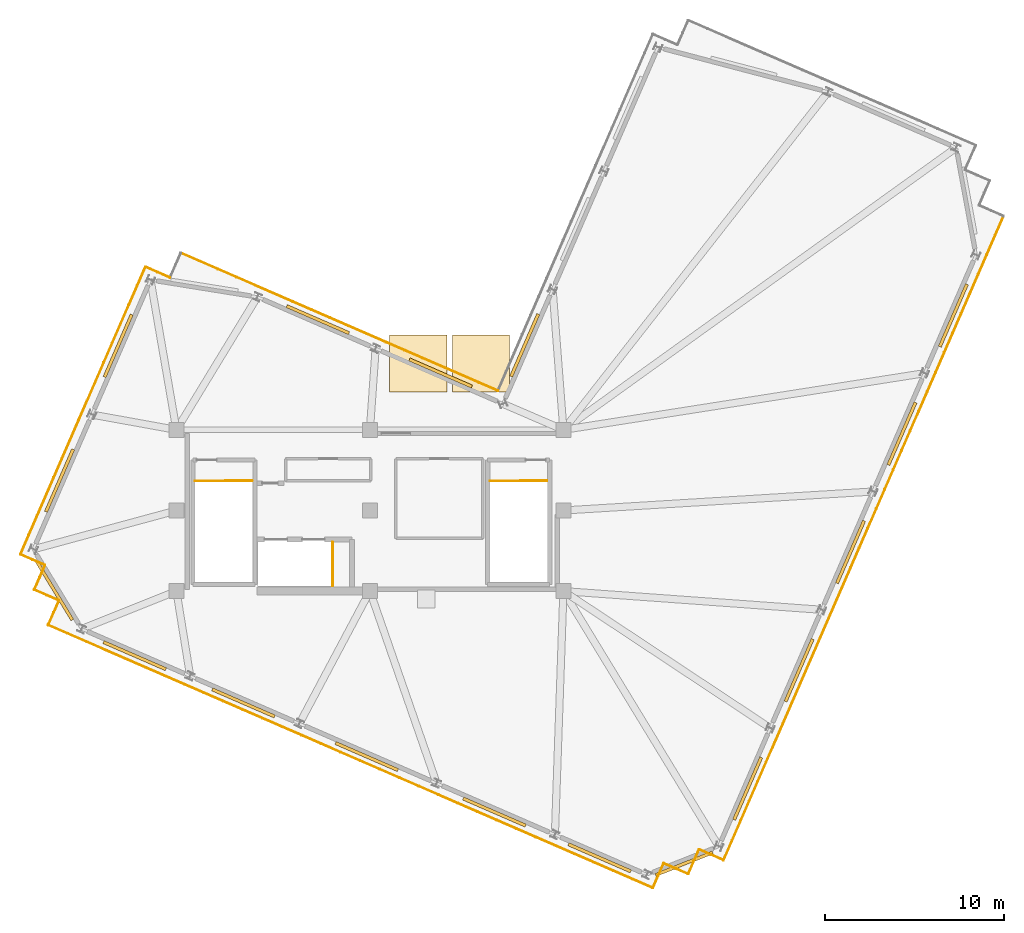
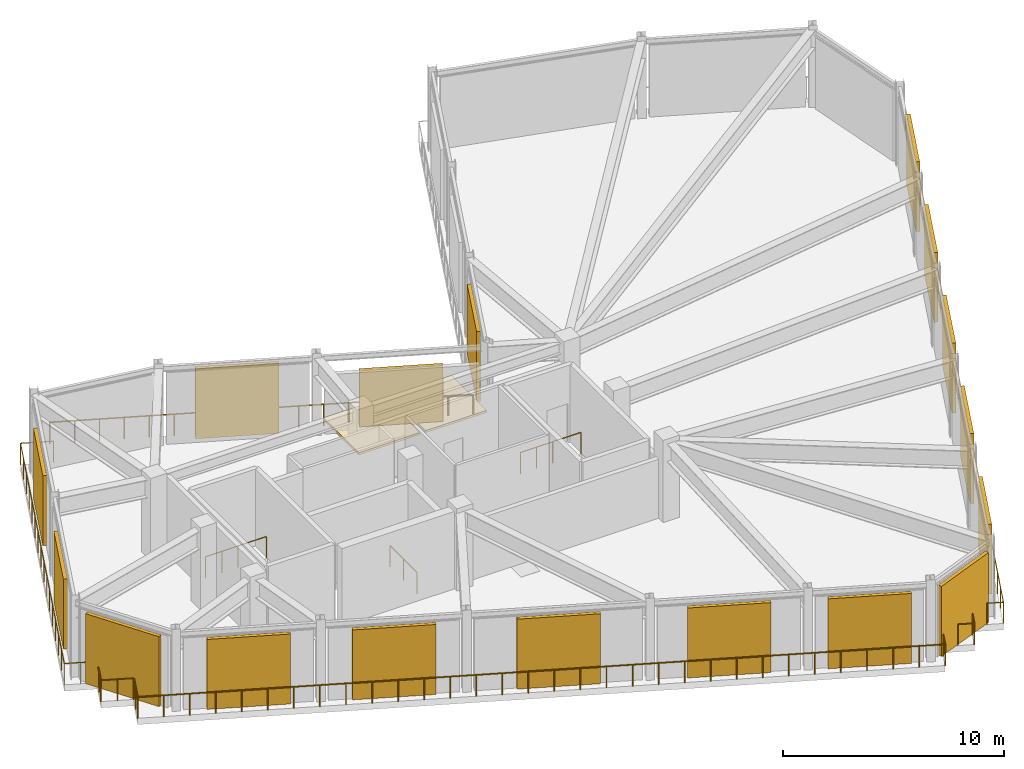
# One storey, part 6 of 7: 18 railings, 17 shading devices, 2 coverings.
"""IFC4 building model written with IfcOpenShell, lengths in metres."""

from ifc_helpers import new_model, si_unit, direction, frame, origin, origin_2d, place, context, subcontext, project, spatial, rectangle, circle, extrude, material, layer, layer_set, type_object, element, save


model = new_model("IFC4")

# Units and contexts
model_context = context("Model", 3, precision=1e-05, world=origin(), true_north=direction((0.0, 1.0)))
body_context = subcontext(model_context, "Body", "Model", "MODEL_VIEW")
ifc_project = project(units=[si_unit("LENGTHUNIT", "METRE"), si_unit("AREAUNIT", "SQUARE_METRE"), si_unit("VOLUMEUNIT", "CUBIC_METRE"), si_unit("PLANEANGLEUNIT", "RADIAN"), si_unit("MASSUNIT", "GRAM", prefix="KILO")], contexts=[model_context])

# Site, building, storey
site_placement = place(None, origin())
site = spatial("IfcSite", under=ifc_project, at=site_placement, CompositionType="ELEMENT")
building_placement = place(site_placement, origin())
building = spatial("IfcBuilding", under=site, at=building_placement, Name="Gaonmaruhae Medical Tower", CompositionType="ELEMENT")
storey_placement = place(building_placement, frame((0.0, 0.0, 347.800048828125)))
storey = spatial("IfcBuildingStorey", under=building, at=storey_placement, Name="RF", CompositionType="ELEMENT", Elevation=347.800048828125)

# Railings
ifc_material_1 = material(Name="Stainless steel 316L and laminated safety glass", Category="steel")
ifc_layer_1 = layer(ifc_material_1, 0.080078125)
ifc_layer_set_1 = layer_set([ifc_layer_1], Name="Stainless steel 316L and laminated safety glass")
railing_type_1 = type_object("IfcRailingType", Name="GD-120 Outdoor Terrace Safety Glass & Steel Balustrade", PredefinedType="BALUSTRADE", material=ifc_layer_set_1)
railing_1_placement = place(storey_placement, frame((44.540283203125, -7.218017578125, 0.0)))
element("IfcRailing", 1, at=railing_1_placement, inside=storey, type_object=railing_type_1, Name="RF Terrace Safety Guard RL-RF-01", PredefinedType="BALUSTRADE", context=body_context, shape_type="SweptSolid", body=[
    extrude(circle(Radius=0.02392578125, at=origin_2d()), frame((0.0, 0.0, 1.17578125), z_axis=(0.398747063032, 0.91706094657, 0.0), x_axis=(-0.91706094657, 0.398747063032, 0.0)), (0.0, 0.0, 1.0), 39.199951171875),
    extrude(circle(Radius=0.02099609375, at=origin_2d()), origin(), (0.0, 0.0, 1.0), 1.15185546875),
    extrude(circle(Radius=0.02099609375, at=origin_2d()), frame((0.4736328125, 1.08935546875, 0.0)), (0.0, 0.0, 1.0), 1.15185546875),
    extrude(circle(Radius=0.02099609375, at=origin_2d()), frame((0.947265625, 2.1787109375, 0.0)), (0.0, 0.0, 1.0), 1.15185546875),
    extrude(circle(Radius=0.02099609375, at=origin_2d()), frame((1.4208984375, 3.26806640625, 0.0)), (0.0, 0.0, 1.0), 1.15185546875),
    extrude(circle(Radius=0.02099609375, at=origin_2d()), frame((1.89453125, 4.357421875, 0.0)), (0.0, 0.0, 1.0), 1.15185546875),
    extrude(circle(Radius=0.02099609375, at=origin_2d()), frame((2.368408203125, 5.44677734375, 0.0)), (0.0, 0.0, 1.0), 1.15185546875),
    extrude(circle(Radius=0.02099609375, at=origin_2d()), frame((2.842041015625, 6.5361328125, 0.0)), (0.0, 0.0, 1.0), 1.15185546875),
    extrude(circle(Radius=0.02099609375, at=origin_2d()), frame((3.315673828125, 7.62548828125, 0.0)), (0.0, 0.0, 1.0), 1.15185546875),
    extrude(circle(Radius=0.02099609375, at=origin_2d()), frame((3.789306640625, 8.71484375, 0.0)), (0.0, 0.0, 1.0), 1.15185546875),
    extrude(circle(Radius=0.02099609375, at=origin_2d()), frame((4.262939453125, 9.80419921875, 0.0)), (0.0, 0.0, 1.0), 1.15185546875),
    extrude(circle(Radius=0.02099609375, at=origin_2d()), frame((4.736572265625, 10.8935546875, 0.0)), (0.0, 0.0, 1.0), 1.15185546875),
    extrude(circle(Radius=0.02099609375, at=origin_2d()), frame((5.210205078125, 11.98291015625, 0.0)), (0.0, 0.0, 1.0), 1.15185546875),
    extrude(circle(Radius=0.02099609375, at=origin_2d()), frame((5.683837890625, 13.072265625, 0.0)), (0.0, 0.0, 1.0), 1.15185546875),
    extrude(circle(Radius=0.02099609375, at=origin_2d()), frame((6.15771484375, 14.16162109375, 0.0)), (0.0, 0.0, 1.0), 1.15185546875),
    extrude(circle(Radius=0.02099609375, at=origin_2d()), frame((6.63134765625, 15.2509765625, 0.0)), (0.0, 0.0, 1.0), 1.15185546875),
    extrude(circle(Radius=0.02099609375, at=origin_2d()), frame((7.10498046875, 16.34033203125, 0.0)), (0.0, 0.0, 1.0), 1.15185546875),
    extrude(circle(Radius=0.02099609375, at=origin_2d()), frame((7.57861328125, 17.4296875, 0.0)), (0.0, 0.0, 1.0), 1.15185546875),
    extrude(circle(Radius=0.02099609375, at=origin_2d()), frame((8.05224609375, 18.51904296875, 0.0)), (0.0, 0.0, 1.0), 1.15185546875),
    extrude(circle(Radius=0.02099609375, at=origin_2d()), frame((8.52587890625, 19.6083984375, 0.0)), (0.0, 0.0, 1.0), 1.15185546875),
    extrude(circle(Radius=0.02099609375, at=origin_2d()), frame((8.99951171875, 20.69775390625, 0.0)), (0.0, 0.0, 1.0), 1.15185546875),
    extrude(circle(Radius=0.02099609375, at=origin_2d()), frame((9.47314453125, 21.787109375, 0.0)), (0.0, 0.0, 1.0), 1.15185546875),
    extrude(circle(Radius=0.02099609375, at=origin_2d()), frame((9.947021484375, 22.87646484375, 0.0)), (0.0, 0.0, 1.0), 1.15185546875),
    extrude(circle(Radius=0.02099609375, at=origin_2d()), frame((10.420654296875, 23.9658203125, 0.0)), (0.0, 0.0, 1.0), 1.15185546875),
    extrude(circle(Radius=0.02099609375, at=origin_2d()), frame((10.894287109375, 25.05517578125, 0.0)), (0.0, 0.0, 1.0), 1.15185546875),
    extrude(circle(Radius=0.02099609375, at=origin_2d()), frame((11.367919921875, 26.14453125, 0.0)), (0.0, 0.0, 1.0), 1.15185546875),
    extrude(circle(Radius=0.02099609375, at=origin_2d()), frame((11.841552734375, 27.23388671875, 0.0)), (0.0, 0.0, 1.0), 1.15185546875),
    extrude(circle(Radius=0.02099609375, at=origin_2d()), frame((12.315185546875, 28.3232421875, 0.0)), (0.0, 0.0, 1.0), 1.15185546875),
    extrude(circle(Radius=0.02099609375, at=origin_2d()), frame((12.788818359375, 29.41259765625, 0.0)), (0.0, 0.0, 1.0), 1.15185546875),
    extrude(circle(Radius=0.02099609375, at=origin_2d()), frame((13.262451171875, 30.501953125, 0.0)), (0.0, 0.0, 1.0), 1.15185546875),
    extrude(circle(Radius=0.02099609375, at=origin_2d()), frame((13.736328125, 31.59130859375, 0.0)), (0.0, 0.0, 1.0), 1.15185546875),
    extrude(circle(Radius=0.02099609375, at=origin_2d()), frame((14.2099609375, 32.6806640625, 0.0)), (0.0, 0.0, 1.0), 1.15185546875),
    extrude(circle(Radius=0.02099609375, at=origin_2d()), frame((14.68359375, 33.77001953125, 0.0)), (0.0, 0.0, 1.0), 1.15185546875),
    extrude(circle(Radius=0.02099609375, at=origin_2d()), frame((15.1572265625, 34.859375, 0.0)), (0.0, 0.0, 1.0), 1.15185546875),
    extrude(circle(Radius=0.02099609375, at=origin_2d()), frame((15.630859375, 35.94873046875, 0.0)), (0.0, 0.0, 1.0), 1.15185546875),
])
railing_2_placement = place(storey_placement, frame((31.941162109375, 18.978515625, 0.0)))
element("IfcRailing", 2, at=railing_2_placement, inside=storey, type_object=railing_type_1, Name="RF Terrace Safety Guard RL-RF-10", PredefinedType="BALUSTRADE", context=body_context, shape_type="SweptSolid", body=[
    extrude(circle(Radius=0.02392578125, at=origin_2d()), frame((0.0, 0.0, 1.17578125), z_axis=(-0.917056179185, 0.398758027153, 0.0), x_axis=(-0.398758027153, -0.917056179185, 0.0)), (0.0, 0.0, 1.0), 19.300048828125),
    extrude(circle(Radius=0.02099609375, at=origin_2d()), origin(), (0.0, 0.0, 1.0), 1.15185546875),
    extrude(circle(Radius=0.02099609375, at=origin_2d()), frame((-1.041015625, 0.45263671875, 0.0)), (0.0, 0.0, 1.0), 1.15185546875),
    extrude(circle(Radius=0.02099609375, at=origin_2d()), frame((-2.082275390625, 0.905517578125, 0.0)), (0.0, 0.0, 1.0), 1.15185546875),
    extrude(circle(Radius=0.02099609375, at=origin_2d()), frame((-3.123291015625, 1.358154296875, 0.0)), (0.0, 0.0, 1.0), 1.15185546875),
    extrude(circle(Radius=0.02099609375, at=origin_2d()), frame((-4.16455078125, 1.810791015625, 0.0)), (0.0, 0.0, 1.0), 1.15185546875),
    extrude(circle(Radius=0.02099609375, at=origin_2d()), frame((-5.20556640625, 2.263427734375, 0.0)), (0.0, 0.0, 1.0), 1.15185546875),
    extrude(circle(Radius=0.02099609375, at=origin_2d()), frame((-6.246826171875, 2.71630859375, 0.0)), (0.0, 0.0, 1.0), 1.15185546875),
    extrude(circle(Radius=0.02099609375, at=origin_2d()), frame((-7.287841796875, 3.1689453125, 0.0)), (0.0, 0.0, 1.0), 1.15185546875),
    extrude(circle(Radius=0.02099609375, at=origin_2d()), frame((-8.3291015625, 3.62158203125, 0.0)), (0.0, 0.0, 1.0), 1.15185546875),
    extrude(circle(Radius=0.02099609375, at=origin_2d()), frame((-9.3701171875, 4.074462890625, 0.0)), (0.0, 0.0, 1.0), 1.15185546875),
    extrude(circle(Radius=0.02099609375, at=origin_2d()), frame((-10.411376953125, 4.527099609375, 0.0)), (0.0, 0.0, 1.0), 1.15185546875),
    extrude(circle(Radius=0.02099609375, at=origin_2d()), frame((-11.452392578125, 4.979736328125, 0.0)), (0.0, 0.0, 1.0), 1.15185546875),
    extrude(circle(Radius=0.02099609375, at=origin_2d()), frame((-12.49365234375, 5.4326171875, 0.0)), (0.0, 0.0, 1.0), 1.15185546875),
    extrude(circle(Radius=0.02099609375, at=origin_2d()), frame((-13.53466796875, 5.88525390625, 0.0)), (0.0, 0.0, 1.0), 1.15185546875),
    extrude(circle(Radius=0.02099609375, at=origin_2d()), frame((-14.575927734375, 6.337890625, 0.0)), (0.0, 0.0, 1.0), 1.15185546875),
    extrude(circle(Radius=0.02099609375, at=origin_2d()), frame((-15.616943359375, 6.79052734375, 0.0)), (0.0, 0.0, 1.0), 1.15185546875),
    extrude(circle(Radius=0.02099609375, at=origin_2d()), frame((-16.658203125, 7.243408203125, 0.0)), (0.0, 0.0, 1.0), 1.15185546875),
    extrude(circle(Radius=0.02099609375, at=origin_2d()), frame((-17.69921875, 7.696044921875, 0.0)), (0.0, 0.0, 1.0), 1.15185546875),
])
railing_3_placement = place(storey_placement, frame((13.643798828125, 25.298828125, 0.0)))
element("IfcRailing", 3, at=railing_3_placement, inside=storey, type_object=railing_type_1, Name="RF Terrace Safety Guard RL-RF-12", PredefinedType="BALUSTRADE", context=body_context, shape_type="SweptSolid", body=[
    extrude(circle(Radius=0.02392578125, at=origin_2d()), frame((0.0, 0.0, 1.17578125), z_axis=(-0.917044176795, 0.398785628887, 0.0), x_axis=(-0.398785628887, -0.917044176795, 0.0)), (0.0, 0.0, 1.0), 1.5),
    extrude(circle(Radius=0.02099609375, at=origin_2d()), origin(), (0.0, 0.0, 1.0), 1.15185546875),
    extrude(circle(Radius=0.02099609375, at=origin_2d()), frame((-0.687744140625, 0.299072265625, 0.0)), (0.0, 0.0, 1.0), 1.15185546875),
    extrude(circle(Radius=0.02099609375, at=origin_2d()), frame((-1.37548828125, 0.59814453125, 0.0)), (0.0, 0.0, 1.0), 1.15185546875),
])
railing_4_placement = place(storey_placement, frame((12.268310546875, 25.89697265625, 0.0)))
element("IfcRailing", 4, at=railing_4_placement, inside=storey, type_object=railing_type_1, Name="RF Terrace Safety Guard RL-RF-13", PredefinedType="BALUSTRADE", context=body_context, shape_type="SweptSolid", body=[
    extrude(circle(Radius=0.02392578125, at=origin_2d()), frame((0.0, 0.0, 1.17578125), z_axis=(-0.398756208591, -0.917056969937, 0.0), x_axis=(0.917056969937, -0.398756208591, 0.0)), (0.0, 0.0, 1.0), 17.5),
    extrude(circle(Radius=0.02099609375, at=origin_2d()), origin(), (0.0, 0.0, 1.0), 1.15185546875),
    extrude(circle(Radius=0.02099609375, at=origin_2d()), frame((-0.46533203125, -1.06982421875, 0.0)), (0.0, 0.0, 1.0), 1.15185546875),
    extrude(circle(Radius=0.02099609375, at=origin_2d()), frame((-0.930419921875, -2.139892578125, 0.0)), (0.0, 0.0, 1.0), 1.15185546875),
    extrude(circle(Radius=0.02099609375, at=origin_2d()), frame((-1.395751953125, -3.209716796875, 0.0)), (0.0, 0.0, 1.0), 1.15185546875),
    extrude(circle(Radius=0.02099609375, at=origin_2d()), frame((-1.86083984375, -4.279541015625, 0.0)), (0.0, 0.0, 1.0), 1.15185546875),
    extrude(circle(Radius=0.02099609375, at=origin_2d()), frame((-2.326171875, -5.349609375, 0.0)), (0.0, 0.0, 1.0), 1.15185546875),
    extrude(circle(Radius=0.02099609375, at=origin_2d()), frame((-2.791259765625, -6.41943359375, 0.0)), (0.0, 0.0, 1.0), 1.15185546875),
    extrude(circle(Radius=0.02099609375, at=origin_2d()), frame((-3.256591796875, -7.4892578125, 0.0)), (0.0, 0.0, 1.0), 1.15185546875),
    extrude(circle(Radius=0.02099609375, at=origin_2d()), frame((-3.7216796875, -8.559326171875, 0.0)), (0.0, 0.0, 1.0), 1.15185546875),
    extrude(circle(Radius=0.02099609375, at=origin_2d()), frame((-4.18701171875, -9.629150390625, 0.0)), (0.0, 0.0, 1.0), 1.15185546875),
    extrude(circle(Radius=0.02099609375, at=origin_2d()), frame((-4.652099609375, -10.698974609375, 0.0)), (0.0, 0.0, 1.0), 1.15185546875),
    extrude(circle(Radius=0.02099609375, at=origin_2d()), frame((-5.117431640625, -11.76904296875, 0.0)), (0.0, 0.0, 1.0), 1.15185546875),
    extrude(circle(Radius=0.02099609375, at=origin_2d()), frame((-5.58251953125, -12.8388671875, 0.0)), (0.0, 0.0, 1.0), 1.15185546875),
    extrude(circle(Radius=0.02099609375, at=origin_2d()), frame((-6.0478515625, -13.90869140625, 0.0)), (0.0, 0.0, 1.0), 1.15185546875),
    extrude(circle(Radius=0.02099609375, at=origin_2d()), frame((-6.512939453125, -14.978759765625, 0.0)), (0.0, 0.0, 1.0), 1.15185546875),
    extrude(circle(Radius=0.02099609375, at=origin_2d()), frame((-6.978271484375, -16.048583984375, 0.0)), (0.0, 0.0, 1.0), 1.15185546875),
])
railing_5_placement = place(storey_placement, frame((5.2900390625, 9.848388671875, 0.0)))
element("IfcRailing", 5, at=railing_5_placement, inside=storey, type_object=railing_type_1, Name="RF Terrace Safety Guard RL-RF-14", PredefinedType="BALUSTRADE", context=body_context, shape_type="SweptSolid", body=[
    extrude(circle(Radius=0.02392578125, at=origin_2d()), frame((0.0, 0.0, 1.17578125), z_axis=(0.917129559328, -0.398589226405, 0.0), x_axis=(0.398589226405, 0.917129559328, 0.0)), (0.0, 0.0, 1.0), 1.5),
    extrude(circle(Radius=0.02099609375, at=origin_2d()), origin(), (0.0, 0.0, 1.0), 1.15185546875),
    extrude(circle(Radius=0.02099609375, at=origin_2d()), frame((0.68798828125, -0.298828125, 0.0)), (0.0, 0.0, 1.0), 1.15185546875),
    extrude(circle(Radius=0.02099609375, at=origin_2d()), frame((1.375732421875, -0.597900390625, 0.0)), (0.0, 0.0, 1.0), 1.15185546875),
])
railing_6_placement = place(storey_placement, frame((6.665771484375, 9.25048828125, 0.0)))
element("IfcRailing", 6, at=railing_6_placement, inside=storey, type_object=railing_type_1, Name="RF Terrace Safety Guard RL-RF-15", PredefinedType="BALUSTRADE", context=body_context, shape_type="SweptSolid", body=[
    extrude(circle(Radius=0.02392578125, at=origin_2d()), frame((0.0, 0.0, 1.17578125), z_axis=(-0.398862969778, -0.917010540474, 0.0), x_axis=(0.917010540474, -0.398862969778, 0.0)), (0.0, 0.0, 1.0), 1.500244140625),
    extrude(circle(Radius=0.02099609375, at=origin_2d()), origin(), (0.0, 0.0, 1.0), 1.15185546875),
    extrude(circle(Radius=0.02099609375, at=origin_2d()), frame((-0.29931640625, -0.68798828125, 0.0)), (0.0, 0.0, 1.0), 1.15185546875),
    extrude(circle(Radius=0.02099609375, at=origin_2d()), frame((-0.598388671875, -1.375732421875, 0.0)), (0.0, 0.0, 1.0), 1.15185546875),
])
railing_7_placement = place(storey_placement, frame((6.0673828125, 7.874755859375, 0.0)))
element("IfcRailing", 7, at=railing_7_placement, inside=storey, type_object=railing_type_1, Name="RF Terrace Safety Guard RL-RF-16", PredefinedType="BALUSTRADE", context=body_context, shape_type="SweptSolid", body=[
    extrude(circle(Radius=0.02392578125, at=origin_2d()), frame((0.0, 0.0, 1.17578125), z_axis=(0.917070056253, -0.398726111414, 0.0), x_axis=(0.398726111414, 0.917070056253, 0.0)), (0.0, 0.0, 1.0), 1.500244140625),
    extrude(circle(Radius=0.02099609375, at=origin_2d()), origin(), (0.0, 0.0, 1.0), 1.15185546875),
    extrude(circle(Radius=0.02099609375, at=origin_2d()), frame((0.68798828125, -0.299072265625, 0.0)), (0.0, 0.0, 1.0), 1.15185546875),
    extrude(circle(Radius=0.02099609375, at=origin_2d()), frame((1.375732421875, -0.59814453125, 0.0)), (0.0, 0.0, 1.0), 1.15185546875),
])
railing_8_placement = place(storey_placement, frame((7.443115234375, 7.276611328125, 0.0)))
element("IfcRailing", 8, at=railing_8_placement, inside=storey, type_object=railing_type_1, Name="RF Terrace Safety Guard RL-RF-17", PredefinedType="BALUSTRADE", context=body_context, shape_type="SweptSolid", body=[
    extrude(circle(Radius=0.02392578125, at=origin_2d()), frame((0.0, 0.0, 1.17578125), z_axis=(-0.398785628887, -0.917044176795, 0.0), x_axis=(0.917044176795, -0.398785628887, 0.0)), (0.0, 0.0, 1.0), 1.5),
    extrude(circle(Radius=0.02099609375, at=origin_2d()), origin(), (0.0, 0.0, 1.0), 1.15185546875),
    extrude(circle(Radius=0.02099609375, at=origin_2d()), frame((-0.299072265625, -0.687744140625, 0.0)), (0.0, 0.0, 1.0), 1.15185546875),
    extrude(circle(Radius=0.02099609375, at=origin_2d()), frame((-0.59814453125, -1.37548828125, 0.0)), (0.0, 0.0, 1.0), 1.15185546875),
])
railing_9_placement = place(storey_placement, frame((6.844970703125, 5.901123046875, 0.0)))
element("IfcRailing", 9, at=railing_9_placement, inside=storey, type_object=railing_type_1, Name="RF Terrace Safety Guard RL-RF-18", PredefinedType="BALUSTRADE", context=body_context, shape_type="SweptSolid", body=[
    extrude(circle(Radius=0.02392578125, at=origin_2d()), frame((0.0, 0.0, 1.17578125), z_axis=(0.917058981238, -0.398751582983, 0.0), x_axis=(0.398751582983, 0.917058981238, 0.0)), (0.0, 0.0, 1.0), 36.800048828125),
    extrude(circle(Radius=0.02099609375, at=origin_2d()), origin(), (0.0, 0.0, 1.0), 1.15185546875),
    extrude(circle(Radius=0.02099609375, at=origin_2d()), frame((1.088623046875, -0.473388671875, 0.0)), (0.0, 0.0, 1.0), 1.15185546875),
    extrude(circle(Radius=0.02099609375, at=origin_2d()), frame((2.17724609375, -0.94677734375, 0.0)), (0.0, 0.0, 1.0), 1.15185546875),
    extrude(circle(Radius=0.02099609375, at=origin_2d()), frame((3.265869140625, -1.420166015625, 0.0)), (0.0, 0.0, 1.0), 1.15185546875),
    extrude(circle(Radius=0.02099609375, at=origin_2d()), frame((4.3544921875, -1.893310546875, 0.0)), (0.0, 0.0, 1.0), 1.15185546875),
    extrude(circle(Radius=0.02099609375, at=origin_2d()), frame((5.443115234375, -2.36669921875, 0.0)), (0.0, 0.0, 1.0), 1.15185546875),
    extrude(circle(Radius=0.02099609375, at=origin_2d()), frame((6.53173828125, -2.840087890625, 0.0)), (0.0, 0.0, 1.0), 1.15185546875),
    extrude(circle(Radius=0.02099609375, at=origin_2d()), frame((7.620361328125, -3.3134765625, 0.0)), (0.0, 0.0, 1.0), 1.15185546875),
    extrude(circle(Radius=0.02099609375, at=origin_2d()), frame((8.709228515625, -3.786865234375, 0.0)), (0.0, 0.0, 1.0), 1.15185546875),
    extrude(circle(Radius=0.02099609375, at=origin_2d()), frame((9.7978515625, -4.26025390625, 0.0)), (0.0, 0.0, 1.0), 1.15185546875),
    extrude(circle(Radius=0.02099609375, at=origin_2d()), frame((10.886474609375, -4.733642578125, 0.0)), (0.0, 0.0, 1.0), 1.15185546875),
    extrude(circle(Radius=0.02099609375, at=origin_2d()), frame((11.97509765625, -5.20703125, 0.0)), (0.0, 0.0, 1.0), 1.15185546875),
    extrude(circle(Radius=0.02099609375, at=origin_2d()), frame((13.063720703125, -5.68017578125, 0.0)), (0.0, 0.0, 1.0), 1.15185546875),
    extrude(circle(Radius=0.02099609375, at=origin_2d()), frame((14.15234375, -6.153564453125, 0.0)), (0.0, 0.0, 1.0), 1.15185546875),
    extrude(circle(Radius=0.02099609375, at=origin_2d()), frame((15.240966796875, -6.626953125, 0.0)), (0.0, 0.0, 1.0), 1.15185546875),
    extrude(circle(Radius=0.02099609375, at=origin_2d()), frame((16.32958984375, -7.100341796875, 0.0)), (0.0, 0.0, 1.0), 1.15185546875),
    extrude(circle(Radius=0.02099609375, at=origin_2d()), frame((17.418212890625, -7.57373046875, 0.0)), (0.0, 0.0, 1.0), 1.15185546875),
    extrude(circle(Radius=0.02099609375, at=origin_2d()), frame((18.5068359375, -8.047119140625, 0.0)), (0.0, 0.0, 1.0), 1.15185546875),
    extrude(circle(Radius=0.02099609375, at=origin_2d()), frame((19.595458984375, -8.5205078125, 0.0)), (0.0, 0.0, 1.0), 1.15185546875),
    extrude(circle(Radius=0.02099609375, at=origin_2d()), frame((20.68408203125, -8.993896484375, 0.0)), (0.0, 0.0, 1.0), 1.15185546875),
    extrude(circle(Radius=0.02099609375, at=origin_2d()), frame((21.772705078125, -9.467041015625, 0.0)), (0.0, 0.0, 1.0), 1.15185546875),
    extrude(circle(Radius=0.02099609375, at=origin_2d()), frame((22.861328125, -9.9404296875, 0.0)), (0.0, 0.0, 1.0), 1.15185546875),
    extrude(circle(Radius=0.02099609375, at=origin_2d()), frame((23.949951171875, -10.413818359375, 0.0)), (0.0, 0.0, 1.0), 1.15185546875),
    extrude(circle(Radius=0.02099609375, at=origin_2d()), frame((25.03857421875, -10.88720703125, 0.0)), (0.0, 0.0, 1.0), 1.15185546875),
    extrude(circle(Radius=0.02099609375, at=origin_2d()), frame((26.12744140625, -11.360595703125, 0.0)), (0.0, 0.0, 1.0), 1.15185546875),
    extrude(circle(Radius=0.02099609375, at=origin_2d()), frame((27.216064453125, -11.833984375, 0.0)), (0.0, 0.0, 1.0), 1.15185546875),
    extrude(circle(Radius=0.02099609375, at=origin_2d()), frame((28.3046875, -12.307373046875, 0.0)), (0.0, 0.0, 1.0), 1.15185546875),
    extrude(circle(Radius=0.02099609375, at=origin_2d()), frame((29.393310546875, -12.78076171875, 0.0)), (0.0, 0.0, 1.0), 1.15185546875),
    extrude(circle(Radius=0.02099609375, at=origin_2d()), frame((30.48193359375, -13.25390625, 0.0)), (0.0, 0.0, 1.0), 1.15185546875),
    extrude(circle(Radius=0.02099609375, at=origin_2d()), frame((31.570556640625, -13.727294921875, 0.0)), (0.0, 0.0, 1.0), 1.15185546875),
    extrude(circle(Radius=0.02099609375, at=origin_2d()), frame((32.6591796875, -14.20068359375, 0.0)), (0.0, 0.0, 1.0), 1.15185546875),
    extrude(circle(Radius=0.02099609375, at=origin_2d()), frame((33.747802734375, -14.674072265625, 0.0)), (0.0, 0.0, 1.0), 1.15185546875),
])
railing_10_placement = place(storey_placement, frame((40.5927734375, -8.77294921875, 0.0)))
element("IfcRailing", 10, at=railing_10_placement, inside=storey, type_object=railing_type_1, Name="RF Terrace Safety Guard RL-RF-19", PredefinedType="BALUSTRADE", context=body_context, shape_type="SweptSolid", body=[
    extrude(circle(Radius=0.02392578125, at=origin_2d()), frame((0.0, 0.0, 1.17578125), z_axis=(0.398726111414, 0.917070056253, 0.0), x_axis=(-0.917070056253, 0.398726111414, 0.0)), (0.0, 0.0, 1.0), 1.500244140625),
    extrude(circle(Radius=0.02099609375, at=origin_2d()), origin(), (0.0, 0.0, 1.0), 1.15185546875),
    extrude(circle(Radius=0.02099609375, at=origin_2d()), frame((0.299072265625, 0.68798828125, 0.0)), (0.0, 0.0, 1.0), 1.15185546875),
    extrude(circle(Radius=0.02099609375, at=origin_2d()), frame((0.59814453125, 1.375732421875, 0.0)), (0.0, 0.0, 1.0), 1.15185546875),
])
railing_11_placement = place(storey_placement, frame((41.19091796875, -7.397216796875, 0.0)))
element("IfcRailing", 11, at=railing_11_placement, inside=storey, type_object=railing_type_1, Name="RF Terrace Safety Guard RL-RF-20", PredefinedType="BALUSTRADE", context=body_context, shape_type="SweptSolid", body=[
    extrude(circle(Radius=0.02392578125, at=origin_2d()), frame((0.0, 0.0, 1.17578125), z_axis=(0.917044176795, -0.398785628887, 0.0), x_axis=(0.398785628887, 0.917044176795, 0.0)), (0.0, 0.0, 1.0), 1.5),
    extrude(circle(Radius=0.02099609375, at=origin_2d()), origin(), (0.0, 0.0, 1.0), 1.15185546875),
    extrude(circle(Radius=0.02099609375, at=origin_2d()), frame((0.687744140625, -0.299072265625, 0.0)), (0.0, 0.0, 1.0), 1.15185546875),
    extrude(circle(Radius=0.02099609375, at=origin_2d()), frame((1.37548828125, -0.59814453125, 0.0)), (0.0, 0.0, 1.0), 1.15185546875),
])
railing_12_placement = place(storey_placement, frame((42.56640625, -7.995361328125, 0.0)))
element("IfcRailing", 12, at=railing_12_placement, inside=storey, type_object=railing_type_1, Name="RF Terrace Safety Guard RL-RF-21", PredefinedType="BALUSTRADE", context=body_context, shape_type="SweptSolid", body=[
    extrude(circle(Radius=0.02392578125, at=origin_2d()), frame((0.0, 0.0, 1.17578125), z_axis=(0.39892249995, 0.916984644928, 0.0), x_axis=(-0.916984644928, 0.39892249995, 0.0)), (0.0, 0.0, 1.0), 1.5),
    extrude(circle(Radius=0.02099609375, at=origin_2d()), origin(), (0.0, 0.0, 1.0), 1.15185546875),
    extrude(circle(Radius=0.02099609375, at=origin_2d()), frame((0.29931640625, 0.687744140625, 0.0)), (0.0, 0.0, 1.0), 1.15185546875),
    extrude(circle(Radius=0.02099609375, at=origin_2d()), frame((0.598388671875, 1.37548828125, 0.0)), (0.0, 0.0, 1.0), 1.15185546875),
])
railing_13_placement = place(storey_placement, frame((43.164794921875, -6.619873046875, 0.0)))
element("IfcRailing", 13, at=railing_13_placement, inside=storey, type_object=railing_type_1, Name="RF Terrace Safety Guard RL-RF-22", PredefinedType="BALUSTRADE", context=body_context, shape_type="SweptSolid", body=[
    extrude(circle(Radius=0.02392578125, at=origin_2d()), frame((0.0, 0.0, 1.17578125), z_axis=(0.917044176795, -0.398785628887, 0.0), x_axis=(0.398785628887, 0.917044176795, 0.0)), (0.0, 0.0, 1.0), 1.5),
    extrude(circle(Radius=0.02099609375, at=origin_2d()), origin(), (0.0, 0.0, 1.0), 1.15185546875),
    extrude(circle(Radius=0.02099609375, at=origin_2d()), frame((0.687744140625, -0.299072265625, 0.0)), (0.0, 0.0, 1.0), 1.15185546875),
    extrude(circle(Radius=0.02099609375, at=origin_2d()), frame((1.37548828125, -0.59814453125, 0.0)), (0.0, 0.0, 1.0), 1.15185546875),
])

# Coverings
ifc_material_2 = material(Name="EPDM insulated roofing membrane", Category="membrane")
ifc_layer_2 = layer(ifc_material_2, 0.1201171875)
ifc_layer_set_2 = layer_set([ifc_layer_2], Name="EPDM insulated roofing membrane")
covering_type = type_object("IfcCoveringType", Name="RFG-01 Insulated EPDM Waterproof Roofing Membrane", PredefinedType="ROOFING", material=ifc_layer_set_2)
for number, where, z_axis, x_axis, name in (
    (14, (27.5, 20.5, 0.0), (0.0, 0.0, 1.0), (1.0, 0.0, 0.0), "RF Helipad Waterproofing Membrane 1"),
    (15, (31.0, 20.5, 0.0), (0.0, 0.0, 1.0), (1.0, 0.0, 0.0), "RF Helipad Waterproofing Membrane 2"),
):
    element("IfcCovering", number, at=place(storey_placement, frame(where, z_axis=z_axis, x_axis=x_axis)), inside=storey, type_object=covering_type, Name=name, PredefinedType="ROOFING", context=body_context, shape_type="SweptSolid", body=[
        extrude(rectangle(XDim=3.199951171875, YDim=3.199951171875, at=origin_2d()), origin(), (0.0, 0.0, 1.0), 0.1201171875),
    ])

# Shading devices
ifc_material_3 = material(Name="Anodised aluminium louvre", Category="aluminium")
shading_device_type = type_object("IfcShadingDeviceType", Name="SD-LVR1 Crown Acoustic Intake Aluminium Louvre", PredefinedType="USERDEFINED", material=ifc_material_3)
for number, where, z_axis, x_axis, name in (
    (16, (45.884765625, -3.222900390625, 0.0498046875), (0.0, 0.0, 1.0), (-0.398749068925, -0.917060074385, 0.0), "RF Crown Perimeter Acoustic Louvre S01"),
    (17, (48.755859375, 3.3798828125, 0.0498046875), (0.0, 0.0, 1.0), (-0.398749068925, -0.917060074385, 0.0), "RF Crown Perimeter Acoustic Louvre S02"),
    (18, (51.626708984375, 9.98291015625, 0.0498046875), (0.0, 0.0, 1.0), (-0.398749068925, -0.917060074385, 0.0), "RF Crown Perimeter Acoustic Louvre S03"),
    (19, (54.497802734375, 16.585693359375, 0.0498046875), (0.0, 0.0, 1.0), (-0.398749068925, -0.917060074385, 0.0), "RF Crown Perimeter Acoustic Louvre S04"),
    (20, (57.368896484375, 23.1884765625, 0.0498046875), (0.0, 0.0, 1.0), (-0.398749068925, -0.917060074385, 0.0), "RF Crown Perimeter Acoustic Louvre S05"),
    (21, (33.4375, 21.517578125, 0.0498046875), (0.0, 0.0, 1.0), (0.398749068925, 0.917060074385, 0.0), "RF Crown Perimeter Acoustic Louvre EN02"),
):
    element("IfcShadingDevice", number, at=place(storey_placement, frame(where, z_axis=z_axis, x_axis=x_axis)), inside=storey, type_object=shading_device_type, Name=name, ObjectType="LOUVRE", PredefinedType="USERDEFINED", context=body_context, shape_type="SweptSolid", body=[
        extrude(rectangle(XDim=3.800048828125, YDim=0.179931640625, at=origin_2d()), origin(), (0.0, 0.0, 1.0), 3.864990234375),
    ])
shading_device_1_placement = place(storey_placement, frame((28.748291015625, 19.974365234375, 0.050048828125), z_axis=(0.0, 0.0, 1.0), x_axis=(0.91706703373, -0.398733063147, 0.0)))
element("IfcShadingDevice", 22, at=shading_device_1_placement, inside=storey, type_object=shading_device_type, Name="RF Crown Perimeter Acoustic Louvre KN01", ObjectType="LOUVRE", PredefinedType="USERDEFINED", context=body_context, shape_type="SweptSolid", body=[
    extrude(rectangle(XDim=3.800048828125, YDim=0.179931640625, at=origin_2d()), origin(), (0.0, 0.0, 1.0), 3.1650390625),
])
for number, where, z_axis, x_axis, name in (
    (23, (21.893310546875, 22.955078125, 0.0498046875), (0.0, 0.0, 1.0), (0.91706703373, -0.398733063147, 0.0), "RF Crown Perimeter Acoustic Louvre NE01"),
    (24, (10.744140625, 21.4892578125, 0.0498046875), (0.0, 0.0, 1.0), (0.398749068925, 0.917060074385, 0.0), "RF Crown Perimeter Acoustic Louvre N01"),
    (25, (7.474365234375, 13.96923828125, 0.0498046875), (0.0, 0.0, 1.0), (0.398749068925, 0.917060074385, 0.0), "RF Crown Perimeter Acoustic Louvre N02"),
    (26, (7.201904296875, 7.81201171875, 0.0498046875), (0.0, 0.0, 1.0), (-0.519250650088, 0.854621999707, 0.0), "RF Crown Perimeter Acoustic Louvre N03"),
    (27, (11.66552734375, 4.197509765625, 0.0498046875), (0.0, 0.0, 1.0), (-0.917060074385, 0.398749068925, 0.0), "RF Crown Perimeter Acoustic Louvre W01"),
    (28, (17.7412109375, 1.555908203125, 0.0498046875), (0.0, 0.0, 1.0), (-0.91706703373, 0.398733063147, 0.0), "RF Crown Perimeter Acoustic Louvre W02"),
    (29, (24.618896484375, -1.434814453125, 0.0498046875), (0.0, 0.0, 1.0), (-0.917053114761, 0.398765074582, 0.0), "RF Crown Perimeter Acoustic Louvre W03"),
    (30, (31.7490234375, -4.534912109375, 0.0498046875), (0.0, 0.0, 1.0), (-0.917060074385, 0.398749068925, 0.0), "RF Crown Perimeter Acoustic Louvre W04"),
    (31, (37.618408203125, -7.0869140625, 0.0498046875), (0.0, 0.0, 1.0), (-0.917060074385, 0.398749068925, 0.0), "RF Crown Perimeter Acoustic Louvre W05"),
):
    element("IfcShadingDevice", number, at=place(storey_placement, frame(where, z_axis=z_axis, x_axis=x_axis)), inside=storey, type_object=shading_device_type, Name=name, ObjectType="LOUVRE", PredefinedType="USERDEFINED", context=body_context, shape_type="SweptSolid", body=[
        extrude(rectangle(XDim=3.800048828125, YDim=0.179931640625, at=origin_2d()), origin(), (0.0, 0.0, 1.0), 3.864990234375),
    ])
shading_device_2_placement = place(storey_placement, frame((42.338134765625, -7.41552734375, 0.0498046875), z_axis=(0.0, 0.0, 1.0), x_axis=(-0.930417567982, -0.366501226724, 0.0)))
element("IfcShadingDevice", 32, at=shading_device_2_placement, inside=storey, type_object=shading_device_type, Name="RF Crown Perimeter Acoustic Louvre W06", ObjectType="LOUVRE", PredefinedType="USERDEFINED", context=body_context, shape_type="SweptSolid", body=[
    extrude(rectangle(XDim=3.427490234375, YDim=0.179931640625, at=origin_2d()), origin(), (0.0, 0.0, 1.0), 3.864990234375),
])

# Railings
ifc_material_4 = material(Name="Stainless steel 304 balustrade", Category="steel")
railing_type_2 = type_object("IfcRailingType", Name="SG-112 Stair Well & Ramp Void Safety Balustrade", PredefinedType="BALUSTRADE", material=ifc_material_4)
for number, where, name in (
    (33, (15.050048828125, 13.949951171875, 0.0), "RF ST-01 top well guard 1"),
    (34, (31.5, 13.949951171875, 0.0), "RF ST-02 top well guard 1"),
):
    element("IfcRailing", number, at=place(storey_placement, frame(where)), inside=storey, type_object=railing_type_2, Name=name, PredefinedType="BALUSTRADE", context=body_context, shape_type="SweptSolid", body=[
        extrude(circle(Radius=0.02392578125, at=origin_2d()), frame((0.0, 0.0, 1.17578125), z_axis=(1.0, 0.0, 0.0), x_axis=(0.0, 1.0, 0.0)), (0.0, 0.0, 1.0), 1.699951171875),
        extrude(circle(Radius=0.02099609375, at=origin_2d()), origin(), (0.0, 0.0, 1.0), 1.15185546875),
        extrude(circle(Radius=0.02099609375, at=origin_2d()), frame((0.85009765625, 0.0, 0.0)), (0.0, 0.0, 1.0), 1.15185546875),
        extrude(circle(Radius=0.02099609375, at=origin_2d()), frame((1.699951171875, 0.0, 0.0)), (0.0, 0.0, 1.0), 1.15185546875),
    ])
railing_14_placement = place(storey_placement, frame((22.719970703125, 10.534912109375, 0.0)))
element("IfcRailing", 35, at=railing_14_placement, inside=storey, type_object=railing_type_2, Name="RF Shaft Edge Safety Guard 01", PredefinedType="BALUSTRADE", context=body_context, shape_type="SweptSolid", body=[
    extrude(circle(Radius=0.02392578125, at=origin_2d()), frame((0.0, 0.0, 1.17578125), z_axis=(0.0, -1.0, 0.0), x_axis=(1.0, 0.0, 0.0)), (0.0, 0.0, 1.0), 2.43994140625),
    extrude(circle(Radius=0.02099609375, at=origin_2d()), origin(), (0.0, 0.0, 1.0), 1.15185546875),
    extrude(circle(Radius=0.02099609375, at=origin_2d()), frame((0.0, -1.219970703125, 0.0)), (0.0, 0.0, 1.0), 1.15185546875),
    extrude(circle(Radius=0.02099609375, at=origin_2d()), frame((0.0, -2.43994140625, 0.0)), (0.0, 0.0, 1.0), 1.15185546875),
])
for number, where, name in (
    (36, (16.747802734375, 13.9599609375, 0.0), "RF Shaft Edge Safety Guard 02"),
    (37, (33.19775390625, 13.9599609375, 0.0), "RF Shaft Edge Safety Guard 03"),
):
    element("IfcRailing", number, at=place(storey_placement, frame(where)), inside=storey, type_object=railing_type_2, Name=name, PredefinedType="BALUSTRADE", context=body_context, shape_type="SweptSolid", body=[
        extrude(circle(Radius=0.02392578125, at=origin_2d()), frame((0.0, 0.0, 1.17578125), z_axis=(1.0, 0.0, 0.0), x_axis=(0.0, 1.0, 0.0)), (0.0, 0.0, 1.0), 1.482177734375),
        extrude(circle(Radius=0.02099609375, at=origin_2d()), origin(), (0.0, 0.0, 1.0), 1.15185546875),
        extrude(circle(Radius=0.02099609375, at=origin_2d()), frame((1.482177734375, 0.0, 0.0)), (0.0, 0.0, 1.0), 1.15185546875),
    ])

save(model, "model.ifc")
